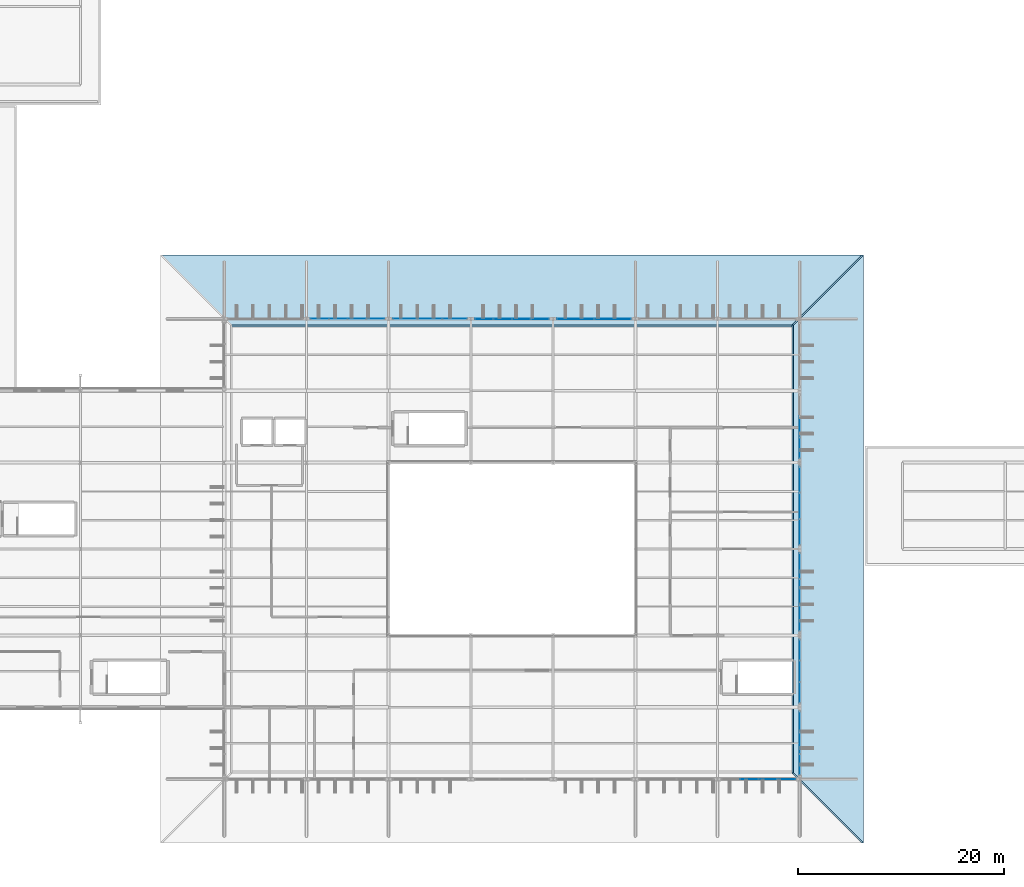
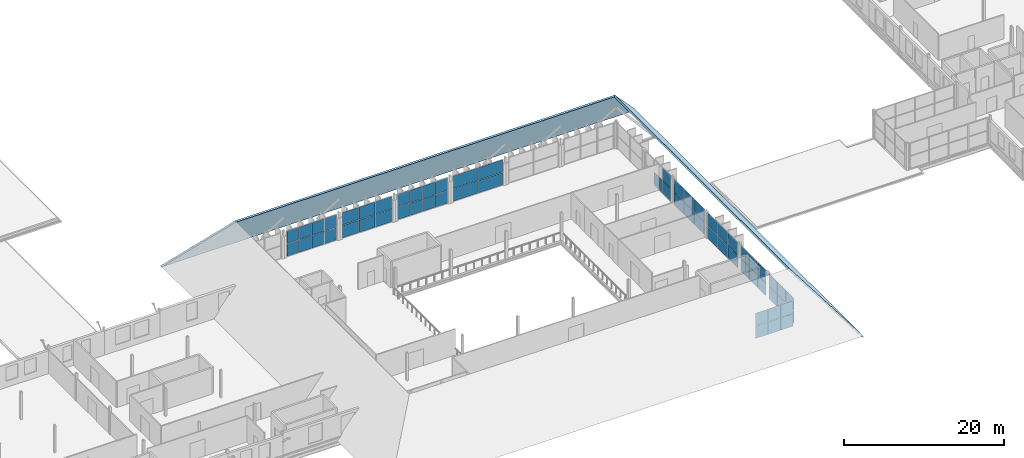
# One storey, part 76 of 93: 59 plates, 2 slabs, 10 elements without a shape of their own.
"""IFC4 building model written with IfcOpenShell, lengths in metres."""

from ifc_helpers import new_model, si_unit, direction, frame, origin, origin_2d, place, context, subcontext, project, spatial, polyline, rectangle, outline, extrude, material, layer, layer_set, type_object, element, aggregate, save


model = new_model("IFC4")

# Units and contexts
model_context = context("Model", 3, precision=1e-05, world=origin(), true_north=direction((0.0, 1.0)))
body_context = subcontext(model_context, "Body", "Model", "MODEL_VIEW")
ifc_project = project(units=[si_unit("LENGTHUNIT", "METRE"), si_unit("AREAUNIT", "SQUARE_METRE"), si_unit("VOLUMEUNIT", "CUBIC_METRE"), si_unit("PLANEANGLEUNIT", "RADIAN"), si_unit("MASSUNIT", "GRAM", prefix="KILO")], contexts=[model_context])

# Site, building, storey
site_placement = place(None, origin())
site = spatial("IfcSite", under=ifc_project, at=site_placement, CompositionType="ELEMENT")
building_placement = place(site_placement, origin())
building = spatial("IfcBuilding", under=site, at=building_placement, Name="Vekula Escarpment Museum", CompositionType="ELEMENT")
storey_placement = place(building_placement, frame((0.0, 0.0, 22.199951171875)))
storey = spatial("IfcBuildingStorey", under=building, at=storey_placement, Name="L05", CompositionType="ELEMENT", Elevation=22.199951171875)

# Curtain wall, plates
ifc_material_1 = material(Name="Aluminium thermally broken framing", Category="aluminium")
ifc_layer_1 = layer(ifc_material_1, 0.159912109375)
ifc_layer_set_1 = layer_set([ifc_layer_1], Name="Aluminium thermally broken framing")
curtain_wall_type_1 = type_object("IfcCurtainWallType", Name="CW-SYS-02", PredefinedType="NOTDEFINED", material=ifc_layer_set_1)
curtain_wall_1_placement = place(storey_placement, origin())
curtain_wall_1 = element("IfcCurtainWall", 1, at=curtain_wall_1_placement, inside=storey, type_object=curtain_wall_type_1, Name="Curtain Wall CW-L05-172", PredefinedType="NOTDEFINED")
ifc_material_2 = material(Name="Double solar-control low-E glass", Category="glass")
ifc_layer_2 = layer(ifc_material_2, 0.028076171875)
ifc_layer_set_2 = layer_set([ifc_layer_2], Name="Double solar-control low-E glass")
plate_type_1 = type_object("IfcPlateType", Name="CW-PNL-28", PredefinedType="CURTAIN_PANEL", material=ifc_layer_set_2)
plate_1_placement = place(storey_placement, frame((126.0, 61.2548828125, 0.06005859375), z_axis=(0.0, 0.0, 1.0), x_axis=(0.0, 1.0, 0.0)))
plate_1 = element("IfcPlate", 2, at=plate_1_placement, type_object=plate_type_1, Name="CW-02 panel 1.1", PredefinedType="CURTAIN_PANEL", context=body_context, shape_type="SweptSolid", body=[
    extrude(rectangle(XDim=2.469970703125, YDim=0.028076171875, at=origin_2d()), origin(), (0.0, 0.0, 1.0), 1.89990234375),
])
plate_2_placement = place(storey_placement, frame((126.0, 61.2548828125, 2.02001953125), z_axis=(0.0, 0.0, 1.0), x_axis=(0.0, 1.0, 0.0)))
plate_2 = element("IfcPlate", 3, at=plate_2_placement, type_object=plate_type_1, Name="CW-02 panel 1.2", PredefinedType="CURTAIN_PANEL", context=body_context, shape_type="SweptSolid", body=[
    extrude(rectangle(XDim=2.469970703125, YDim=0.028076171875, at=origin_2d()), origin(), (0.0, 0.0, 1.0), 1.89990234375),
])
plate_3_placement = place(storey_placement, frame((126.0, 63.800048828125, 0.06005859375), z_axis=(0.0, 0.0, 1.0), x_axis=(0.0, 1.0, 0.0)))
plate_3 = element("IfcPlate", 4, at=plate_3_placement, type_object=plate_type_1, Name="CW-02 panel 2.1", PredefinedType="CURTAIN_PANEL", context=body_context, shape_type="SweptSolid", body=[
    extrude(rectangle(XDim=2.5, YDim=0.028076171875, at=origin_2d()), origin(), (0.0, 0.0, 1.0), 1.89990234375),
])
plate_4_placement = place(storey_placement, frame((126.0, 63.800048828125, 2.02001953125), z_axis=(0.0, 0.0, 1.0), x_axis=(0.0, 1.0, 0.0)))
plate_4 = element("IfcPlate", 5, at=plate_4_placement, type_object=plate_type_1, Name="CW-02 panel 2.2", PredefinedType="CURTAIN_PANEL", context=body_context, shape_type="SweptSolid", body=[
    extrude(rectangle(XDim=2.5, YDim=0.028076171875, at=origin_2d()), origin(), (0.0, 0.0, 1.0), 1.89990234375),
])
plate_5_placement = place(storey_placement, frame((126.0, 66.344970703125, 0.06005859375), z_axis=(0.0, 0.0, 1.0), x_axis=(0.0, 1.0, 0.0)))
plate_5 = element("IfcPlate", 6, at=plate_5_placement, type_object=plate_type_1, Name="CW-02 panel 3.1", PredefinedType="CURTAIN_PANEL", context=body_context, shape_type="SweptSolid", body=[
    extrude(rectangle(XDim=2.469970703125, YDim=0.028076171875, at=origin_2d()), origin(), (0.0, 0.0, 1.0), 1.89990234375),
])
plate_6_placement = place(storey_placement, frame((126.0, 66.344970703125, 2.02001953125), z_axis=(0.0, 0.0, 1.0), x_axis=(0.0, 1.0, 0.0)))
plate_6 = element("IfcPlate", 7, at=plate_6_placement, type_object=plate_type_1, Name="CW-02 panel 3.2", PredefinedType="CURTAIN_PANEL", context=body_context, shape_type="SweptSolid", body=[
    extrude(rectangle(XDim=2.469970703125, YDim=0.028076171875, at=origin_2d()), origin(), (0.0, 0.0, 1.0), 1.89990234375),
])
aggregate(curtain_wall_1, [plate_1, plate_2, plate_3, plate_4, plate_5, plate_6])

ifc_material_3 = material(Name="Aluminium thermally broken framing", Category="aluminium")
ifc_layer_3 = layer(ifc_material_3, 0.169921875)
ifc_layer_set_3 = layer_set([ifc_layer_3], Name="Aluminium thermally broken framing")
curtain_wall_type_2 = type_object("IfcCurtainWallType", Name="CW-SYS-10", PredefinedType="NOTDEFINED", material=ifc_layer_set_3)
curtain_wall_2_placement = place(storey_placement, origin())
curtain_wall_2 = element("IfcCurtainWall", 8, at=curtain_wall_2_placement, inside=storey, type_object=curtain_wall_type_2, Name="Curtain Wall CW-L05-180", PredefinedType="NOTDEFINED")
plate_7_placement = place(storey_placement, frame((92.41162109375, 90.39990234375, 0.06005859375), z_axis=(0.0, 0.0, 1.0), x_axis=(-1.0, 0.0, 0.0)))
plate_7 = element("IfcPlate", 9, at=plate_7_placement, type_object=plate_type_1, Name="CW-10 panel 1.1", PredefinedType="CURTAIN_PANEL", context=body_context, shape_type="SweptSolid", body=[
    extrude(rectangle(XDim=2.336669921875, YDim=0.028076171875, at=origin_2d()), origin(), (0.0, 0.0, 1.0), 1.89990234375),
])
plate_8_placement = place(storey_placement, frame((92.41162109375, 90.39990234375, 2.02001953125), z_axis=(0.0, 0.0, 1.0), x_axis=(-1.0, 0.0, 0.0)))
plate_8 = element("IfcPlate", 10, at=plate_8_placement, type_object=plate_type_1, Name="CW-10 panel 1.2", PredefinedType="CURTAIN_PANEL", context=body_context, shape_type="SweptSolid", body=[
    extrude(rectangle(XDim=2.336669921875, YDim=0.028076171875, at=origin_2d()), origin(), (0.0, 0.0, 1.0), 1.89990234375),
])
plate_9_placement = place(storey_placement, frame((90.0, 90.39990234375, 0.06005859375), z_axis=(0.0, 0.0, 1.0), x_axis=(-1.0, 0.0, 0.0)))
plate_9 = element("IfcPlate", 11, at=plate_9_placement, type_object=plate_type_1, Name="CW-10 panel 2.1", PredefinedType="CURTAIN_PANEL", context=body_context, shape_type="SweptSolid", body=[
    extrude(rectangle(XDim=2.36669921875, YDim=0.028076171875, at=origin_2d()), origin(), (0.0, 0.0, 1.0), 1.89990234375),
])
plate_10_placement = place(storey_placement, frame((90.0, 90.39990234375, 2.02001953125), z_axis=(0.0, 0.0, 1.0), x_axis=(-1.0, 0.0, 0.0)))
plate_10 = element("IfcPlate", 12, at=plate_10_placement, type_object=plate_type_1, Name="CW-10 panel 2.2", PredefinedType="CURTAIN_PANEL", context=body_context, shape_type="SweptSolid", body=[
    extrude(rectangle(XDim=2.36669921875, YDim=0.028076171875, at=origin_2d()), origin(), (0.0, 0.0, 1.0), 1.89990234375),
])
plate_11_placement = place(storey_placement, frame((87.58837890625, 90.39990234375, 0.06005859375), z_axis=(0.0, 0.0, 1.0), x_axis=(-1.0, 0.0, 0.0)))
plate_11 = element("IfcPlate", 13, at=plate_11_placement, type_object=plate_type_1, Name="CW-10 panel 3.1", PredefinedType="CURTAIN_PANEL", context=body_context, shape_type="SweptSolid", body=[
    extrude(rectangle(XDim=2.336669921875, YDim=0.028076171875, at=origin_2d()), origin(), (0.0, 0.0, 1.0), 1.89990234375),
])
plate_12_placement = place(storey_placement, frame((87.58837890625, 90.39990234375, 2.02001953125), z_axis=(0.0, 0.0, 1.0), x_axis=(-1.0, 0.0, 0.0)))
plate_12 = element("IfcPlate", 14, at=plate_12_placement, type_object=plate_type_1, Name="CW-10 panel 3.2", PredefinedType="CURTAIN_PANEL", context=body_context, shape_type="SweptSolid", body=[
    extrude(rectangle(XDim=2.336669921875, YDim=0.028076171875, at=origin_2d()), origin(), (0.0, 0.0, 1.0), 1.89990234375),
])
aggregate(curtain_wall_2, [plate_7, plate_8, plate_9, plate_10, plate_11, plate_12])

ifc_material_4 = material(Name="Aluminium thermally broken framing", Category="aluminium")
ifc_layer_4 = layer(ifc_material_4, 0.14990234375)
ifc_layer_set_4 = layer_set([ifc_layer_4], Name="Aluminium thermally broken framing")
curtain_wall_type_3 = type_object("IfcCurtainWallType", Name="CW-SYS-09", PredefinedType="NOTDEFINED", material=ifc_layer_set_4)
curtain_wall_3_placement = place(storey_placement, origin())
curtain_wall_3 = element("IfcCurtainWall", 15, at=curtain_wall_3_placement, inside=storey, type_object=curtain_wall_type_3, Name="Curtain Wall CW-L05-169", PredefinedType="NOTDEFINED")
ifc_material_5 = material(Name="Acoustic laminated double low-E glass", Category="glass")
ifc_layer_5 = layer(ifc_material_5, 0.031982421875)
ifc_layer_set_5 = layer_set([ifc_layer_5], Name="Acoustic laminated double low-E glass")
plate_type_2 = type_object("IfcPlateType", Name="CW-PNL-32", PredefinedType="CURTAIN_PANEL", material=ifc_layer_set_5)
plate_13_placement = place(storey_placement, frame((121.090087890625, 45.60009765625, 0.06005859375), z_axis=(0.0, 0.0, 1.0), x_axis=(1.0, 0.0, 0.0)))
plate_13 = element("IfcPlate", 16, at=plate_13_placement, type_object=plate_type_2, Name="CW-09 panel 2.1", PredefinedType="CURTAIN_PANEL", context=body_context, shape_type="SweptSolid", body=[
    extrude(rectangle(XDim=1.760009765625, YDim=0.031982421875, at=origin_2d()), origin(), (0.0, 0.0, 1.0), 1.89990234375),
])
plate_14_placement = place(storey_placement, frame((121.090087890625, 45.60009765625, 2.02001953125), z_axis=(0.0, 0.0, 1.0), x_axis=(1.0, 0.0, 0.0)))
plate_14 = element("IfcPlate", 17, at=plate_14_placement, type_object=plate_type_2, Name="CW-09 panel 2.2", PredefinedType="CURTAIN_PANEL", context=body_context, shape_type="SweptSolid", body=[
    extrude(rectangle(XDim=1.760009765625, YDim=0.031982421875, at=origin_2d()), origin(), (0.0, 0.0, 1.0), 1.89990234375),
])
plate_15_placement = place(storey_placement, frame((122.909912109375, 45.60009765625, 0.06005859375), z_axis=(0.0, 0.0, 1.0), x_axis=(1.0, 0.0, 0.0)))
plate_15 = element("IfcPlate", 18, at=plate_15_placement, type_object=plate_type_2, Name="CW-09 panel 3.1", PredefinedType="CURTAIN_PANEL", context=body_context, shape_type="SweptSolid", body=[
    extrude(rectangle(XDim=1.760009765625, YDim=0.031982421875, at=origin_2d()), origin(), (0.0, 0.0, 1.0), 1.89990234375),
])
plate_16_placement = place(storey_placement, frame((122.909912109375, 45.60009765625, 2.02001953125), z_axis=(0.0, 0.0, 1.0), x_axis=(1.0, 0.0, 0.0)))
plate_16 = element("IfcPlate", 19, at=plate_16_placement, type_object=plate_type_2, Name="CW-09 panel 3.2", PredefinedType="CURTAIN_PANEL", context=body_context, shape_type="SweptSolid", body=[
    extrude(rectangle(XDim=1.760009765625, YDim=0.031982421875, at=origin_2d()), origin(), (0.0, 0.0, 1.0), 1.89990234375),
])
plate_17_placement = place(storey_placement, frame((124.715087890625, 45.60009765625, 0.06005859375), z_axis=(0.0, 0.0, 1.0), x_axis=(1.0, 0.0, 0.0)))
plate_17 = element("IfcPlate", 20, at=plate_17_placement, type_object=plate_type_2, Name="CW-09 panel 4.1", PredefinedType="CURTAIN_PANEL", context=body_context, shape_type="SweptSolid", body=[
    extrude(rectangle(XDim=1.72998046875, YDim=0.031982421875, at=origin_2d()), origin(), (0.0, 0.0, 1.0), 1.89990234375),
])
plate_18_placement = place(storey_placement, frame((124.715087890625, 45.60009765625, 2.02001953125), z_axis=(0.0, 0.0, 1.0), x_axis=(1.0, 0.0, 0.0)))
plate_18 = element("IfcPlate", 21, at=plate_18_placement, type_object=plate_type_2, Name="CW-09 panel 4.2", PredefinedType="CURTAIN_PANEL", context=body_context, shape_type="SweptSolid", body=[
    extrude(rectangle(XDim=1.72998046875, YDim=0.031982421875, at=origin_2d()), origin(), (0.0, 0.0, 1.0), 1.89990234375),
])
aggregate(curtain_wall_3, [plate_13, plate_14, plate_15, plate_16, plate_17, plate_18])

ifc_material_6 = material(Name="Aluminium thermally broken framing", Category="aluminium")
ifc_layer_6 = layer(ifc_material_6, 0.199951171875)
ifc_layer_set_6 = layer_set([ifc_layer_6], Name="Aluminium thermally broken framing")
curtain_wall_type_4 = type_object("IfcCurtainWallType", Name="CW-SYS-03", PredefinedType="NOTDEFINED", material=ifc_layer_set_6)
curtain_wall_4_placement = place(storey_placement, origin())
curtain_wall_4 = element("IfcCurtainWall", 22, at=curtain_wall_4_placement, inside=storey, type_object=curtain_wall_type_4, Name="Curtain Wall CW-L05-173", PredefinedType="NOTDEFINED")
plate_19_placement = place(storey_placement, frame((126.0, 69.655029296875, 0.06005859375), z_axis=(0.0, 0.0, 1.0), x_axis=(0.0, 1.0, 0.0)))
plate_19 = element("IfcPlate", 23, at=plate_19_placement, type_object=plate_type_2, Name="CW-03 panel 1.1", PredefinedType="CURTAIN_PANEL", context=body_context, shape_type="SweptSolid", body=[
    extrude(rectangle(XDim=2.469970703125, YDim=0.031982421875, at=origin_2d()), origin(), (0.0, 0.0, 1.0), 1.89990234375),
])
plate_20_placement = place(storey_placement, frame((126.0, 69.655029296875, 2.02001953125), z_axis=(0.0, 0.0, 1.0), x_axis=(0.0, 1.0, 0.0)))
plate_20 = element("IfcPlate", 24, at=plate_20_placement, type_object=plate_type_2, Name="CW-03 panel 1.2", PredefinedType="CURTAIN_PANEL", context=body_context, shape_type="SweptSolid", body=[
    extrude(rectangle(XDim=2.469970703125, YDim=0.031982421875, at=origin_2d()), origin(), (0.0, 0.0, 1.0), 1.89990234375),
])
plate_21_placement = place(storey_placement, frame((126.0, 72.199951171875, 0.06005859375), z_axis=(0.0, 0.0, 1.0), x_axis=(0.0, 1.0, 0.0)))
plate_21 = element("IfcPlate", 25, at=plate_21_placement, type_object=plate_type_2, Name="CW-03 panel 2.1", PredefinedType="CURTAIN_PANEL", context=body_context, shape_type="SweptSolid", body=[
    extrude(rectangle(XDim=2.5, YDim=0.031982421875, at=origin_2d()), origin(), (0.0, 0.0, 1.0), 1.89990234375),
])
plate_22_placement = place(storey_placement, frame((126.0, 72.199951171875, 2.02001953125), z_axis=(0.0, 0.0, 1.0), x_axis=(0.0, 1.0, 0.0)))
plate_22 = element("IfcPlate", 26, at=plate_22_placement, type_object=plate_type_2, Name="CW-03 panel 2.2", PredefinedType="CURTAIN_PANEL", context=body_context, shape_type="SweptSolid", body=[
    extrude(rectangle(XDim=2.5, YDim=0.031982421875, at=origin_2d()), origin(), (0.0, 0.0, 1.0), 1.89990234375),
])
plate_23_placement = place(storey_placement, frame((126.0, 74.7451171875, 0.06005859375), z_axis=(0.0, 0.0, 1.0), x_axis=(0.0, 1.0, 0.0)))
plate_23 = element("IfcPlate", 27, at=plate_23_placement, type_object=plate_type_2, Name="CW-03 panel 3.1", PredefinedType="CURTAIN_PANEL", context=body_context, shape_type="SweptSolid", body=[
    extrude(rectangle(XDim=2.469970703125, YDim=0.031982421875, at=origin_2d()), origin(), (0.0, 0.0, 1.0), 1.89990234375),
])
plate_24_placement = place(storey_placement, frame((126.0, 74.7451171875, 2.02001953125), z_axis=(0.0, 0.0, 1.0), x_axis=(0.0, 1.0, 0.0)))
plate_24 = element("IfcPlate", 28, at=plate_24_placement, type_object=plate_type_2, Name="CW-03 panel 3.2", PredefinedType="CURTAIN_PANEL", context=body_context, shape_type="SweptSolid", body=[
    extrude(rectangle(XDim=2.469970703125, YDim=0.031982421875, at=origin_2d()), origin(), (0.0, 0.0, 1.0), 1.89990234375),
])
aggregate(curtain_wall_4, [plate_19, plate_20, plate_21, plate_22, plate_23, plate_24])

ifc_material_7 = material(Name="Aluminium thermally broken framing", Category="aluminium")
ifc_layer_7 = layer(ifc_material_7, 0.159912109375)
ifc_layer_set_7 = layer_set([ifc_layer_7], Name="Aluminium thermally broken framing")
curtain_wall_type_5 = type_object("IfcCurtainWallType", Name="CW-SYS-01", PredefinedType="NOTDEFINED", material=ifc_layer_set_7)
curtain_wall_5_placement = place(storey_placement, origin())
curtain_wall_5 = element("IfcCurtainWall", 29, at=curtain_wall_5_placement, inside=storey, type_object=curtain_wall_type_5, Name="Curtain Wall CW-L05-181", PredefinedType="NOTDEFINED")
plate_25_placement = place(storey_placement, frame((84.715087890625, 90.39990234375, 0.06005859375), z_axis=(0.0, 0.0, 1.0), x_axis=(-1.0, 0.0, 0.0)))
plate_25 = element("IfcPlate", 30, at=plate_25_placement, type_object=plate_type_2, Name="CW-01 panel 1.1", PredefinedType="CURTAIN_PANEL", context=body_context, shape_type="SweptSolid", body=[
    extrude(rectangle(XDim=1.72998046875, YDim=0.031982421875, at=origin_2d()), origin(), (0.0, 0.0, 1.0), 1.89990234375),
])
plate_26_placement = place(storey_placement, frame((84.715087890625, 90.39990234375, 2.02001953125), z_axis=(0.0, 0.0, 1.0), x_axis=(-1.0, 0.0, 0.0)))
plate_26 = element("IfcPlate", 31, at=plate_26_placement, type_object=plate_type_2, Name="CW-01 panel 1.2", PredefinedType="CURTAIN_PANEL", context=body_context, shape_type="SweptSolid", body=[
    extrude(rectangle(XDim=1.72998046875, YDim=0.031982421875, at=origin_2d()), origin(), (0.0, 0.0, 1.0), 1.89990234375),
])
plate_27_placement = place(storey_placement, frame((82.909912109375, 90.39990234375, 0.06005859375), z_axis=(0.0, 0.0, 1.0), x_axis=(-1.0, 0.0, 0.0)))
plate_27 = element("IfcPlate", 32, at=plate_27_placement, type_object=plate_type_2, Name="CW-01 panel 2.1", PredefinedType="CURTAIN_PANEL", context=body_context, shape_type="SweptSolid", body=[
    extrude(rectangle(XDim=1.760009765625, YDim=0.031982421875, at=origin_2d()), origin(), (0.0, 0.0, 1.0), 1.89990234375),
])
plate_28_placement = place(storey_placement, frame((82.909912109375, 90.39990234375, 2.02001953125), z_axis=(0.0, 0.0, 1.0), x_axis=(-1.0, 0.0, 0.0)))
plate_28 = element("IfcPlate", 33, at=plate_28_placement, type_object=plate_type_2, Name="CW-01 panel 2.2", PredefinedType="CURTAIN_PANEL", context=body_context, shape_type="SweptSolid", body=[
    extrude(rectangle(XDim=1.760009765625, YDim=0.031982421875, at=origin_2d()), origin(), (0.0, 0.0, 1.0), 1.89990234375),
])
plate_29_placement = place(storey_placement, frame((81.090087890625, 90.39990234375, 0.06005859375), z_axis=(0.0, 0.0, 1.0), x_axis=(-1.0, 0.0, 0.0)))
plate_29 = element("IfcPlate", 34, at=plate_29_placement, type_object=plate_type_2, Name="CW-01 panel 3.1", PredefinedType="CURTAIN_PANEL", context=body_context, shape_type="SweptSolid", body=[
    extrude(rectangle(XDim=1.760009765625, YDim=0.031982421875, at=origin_2d()), origin(), (0.0, 0.0, 1.0), 1.89990234375),
])
plate_30_placement = place(storey_placement, frame((81.090087890625, 90.39990234375, 2.02001953125), z_axis=(0.0, 0.0, 1.0), x_axis=(-1.0, 0.0, 0.0)))
plate_30 = element("IfcPlate", 35, at=plate_30_placement, type_object=plate_type_2, Name="CW-01 panel 3.2", PredefinedType="CURTAIN_PANEL", context=body_context, shape_type="SweptSolid", body=[
    extrude(rectangle(XDim=1.760009765625, YDim=0.031982421875, at=origin_2d()), origin(), (0.0, 0.0, 1.0), 1.89990234375),
])
plate_31_placement = place(storey_placement, frame((79.284912109375, 90.39990234375, 0.06005859375), z_axis=(0.0, 0.0, 1.0), x_axis=(-1.0, 0.0, 0.0)))
plate_31 = element("IfcPlate", 36, at=plate_31_placement, type_object=plate_type_2, Name="CW-01 panel 4.1", PredefinedType="CURTAIN_PANEL", context=body_context, shape_type="SweptSolid", body=[
    extrude(rectangle(XDim=1.72998046875, YDim=0.031982421875, at=origin_2d()), origin(), (0.0, 0.0, 1.0), 1.89990234375),
])
plate_32_placement = place(storey_placement, frame((79.284912109375, 90.39990234375, 2.02001953125), z_axis=(0.0, 0.0, 1.0), x_axis=(-1.0, 0.0, 0.0)))
plate_32 = element("IfcPlate", 37, at=plate_32_placement, type_object=plate_type_2, Name="CW-01 panel 4.2", PredefinedType="CURTAIN_PANEL", context=body_context, shape_type="SweptSolid", body=[
    extrude(rectangle(XDim=1.72998046875, YDim=0.031982421875, at=origin_2d()), origin(), (0.0, 0.0, 1.0), 1.89990234375),
])
aggregate(curtain_wall_5, [plate_25, plate_26, plate_27, plate_28, plate_29, plate_30, plate_31, plate_32])

curtain_wall_6_placement = place(storey_placement, origin())
curtain_wall_6 = element("IfcCurtainWall", 38, at=curtain_wall_6_placement, inside=storey, type_object=curtain_wall_type_2, Name="Curtain Wall CW-L05-170", PredefinedType="NOTDEFINED")
ifc_material_8 = material(Name="Triple UV-filtered museum gallery glass", Category="glass")
ifc_layer_8 = layer(ifc_material_8, 0.035888671875)
ifc_layer_set_8 = layer_set([ifc_layer_8], Name="Triple UV-filtered museum gallery glass")
plate_type_3 = type_object("IfcPlateType", Name="CW-PNL-36", PredefinedType="CURTAIN_PANEL", material=ifc_layer_set_8)
plate_33_placement = place(storey_placement, frame((126.0, 47.021728515625, 0.06005859375), z_axis=(0.0, 0.0, 1.0), x_axis=(0.0, 1.0, 0.0)))
plate_33 = element("IfcPlate", 39, at=plate_33_placement, type_object=plate_type_3, Name="CW-10 panel 1.1", PredefinedType="CURTAIN_PANEL", context=body_context, shape_type="SweptSolid", body=[
    extrude(rectangle(XDim=2.00341796875, YDim=0.035888671875, at=origin_2d()), origin(), (0.0, 0.0, 1.0), 1.89990234375),
])
plate_34_placement = place(storey_placement, frame((126.0, 47.021728515625, 2.02001953125), z_axis=(0.0, 0.0, 1.0), x_axis=(0.0, 1.0, 0.0)))
plate_34 = element("IfcPlate", 40, at=plate_34_placement, type_object=plate_type_3, Name="CW-10 panel 1.2", PredefinedType="CURTAIN_PANEL", context=body_context, shape_type="SweptSolid", body=[
    extrude(rectangle(XDim=2.00341796875, YDim=0.035888671875, at=origin_2d()), origin(), (0.0, 0.0, 1.0), 1.89990234375),
])
plate_35_placement = place(storey_placement, frame((126.0, 49.10009765625, 0.06005859375), z_axis=(0.0, 0.0, 1.0), x_axis=(0.0, 1.0, 0.0)))
plate_35 = element("IfcPlate", 41, at=plate_35_placement, type_object=plate_type_3, Name="CW-10 panel 2.1", PredefinedType="CURTAIN_PANEL", context=body_context, shape_type="SweptSolid", body=[
    extrude(rectangle(XDim=2.033447265625, YDim=0.035888671875, at=origin_2d()), origin(), (0.0, 0.0, 1.0), 1.89990234375),
])
plate_36_placement = place(storey_placement, frame((126.0, 49.10009765625, 2.02001953125), z_axis=(0.0, 0.0, 1.0), x_axis=(0.0, 1.0, 0.0)))
plate_36 = element("IfcPlate", 42, at=plate_36_placement, type_object=plate_type_3, Name="CW-10 panel 2.2", PredefinedType="CURTAIN_PANEL", context=body_context, shape_type="SweptSolid", body=[
    extrude(rectangle(XDim=2.033447265625, YDim=0.035888671875, at=origin_2d()), origin(), (0.0, 0.0, 1.0), 1.89990234375),
])
plate_37_placement = place(storey_placement, frame((126.0, 51.17822265625, 0.06005859375), z_axis=(0.0, 0.0, 1.0), x_axis=(0.0, 1.0, 0.0)))
plate_37 = element("IfcPlate", 43, at=plate_37_placement, type_object=plate_type_3, Name="CW-10 panel 3.1", PredefinedType="CURTAIN_PANEL", context=body_context, shape_type="SweptSolid", body=[
    extrude(rectangle(XDim=2.00341796875, YDim=0.035888671875, at=origin_2d()), origin(), (0.0, 0.0, 1.0), 1.89990234375),
])
plate_38_placement = place(storey_placement, frame((126.0, 51.17822265625, 2.02001953125), z_axis=(0.0, 0.0, 1.0), x_axis=(0.0, 1.0, 0.0)))
plate_38 = element("IfcPlate", 44, at=plate_38_placement, type_object=plate_type_3, Name="CW-10 panel 3.2", PredefinedType="CURTAIN_PANEL", context=body_context, shape_type="SweptSolid", body=[
    extrude(rectangle(XDim=2.00341796875, YDim=0.035888671875, at=origin_2d()), origin(), (0.0, 0.0, 1.0), 1.89990234375),
])
aggregate(curtain_wall_6, [plate_33, plate_34, plate_35, plate_36, plate_37, plate_38])

ifc_material_9 = material(Name="Aluminium thermally broken framing", Category="aluminium")
ifc_layer_9 = layer(ifc_material_9, 0.199951171875)
ifc_layer_set_9 = layer_set([ifc_layer_9], Name="Aluminium thermally broken framing")
curtain_wall_type_6 = type_object("IfcCurtainWallType", Name="CW-SYS-04", PredefinedType="NOTDEFINED", material=ifc_layer_set_9)
curtain_wall_7_placement = place(storey_placement, origin())
curtain_wall_7 = element("IfcCurtainWall", 45, at=curtain_wall_7_placement, inside=storey, type_object=curtain_wall_type_6, Name="Curtain Wall CW-L05-174", PredefinedType="NOTDEFINED")
plate_39_placement = place(storey_placement, frame((126.0, 77.82177734375, 0.06005859375), z_axis=(0.0, 0.0, 1.0), x_axis=(0.0, 1.0, 0.0)))
plate_39 = element("IfcPlate", 46, at=plate_39_placement, type_object=plate_type_3, Name="CW-04 panel 1.1", PredefinedType="CURTAIN_PANEL", context=body_context, shape_type="SweptSolid", body=[
    extrude(rectangle(XDim=2.00341796875, YDim=0.035888671875, at=origin_2d()), origin(), (0.0, 0.0, 1.0), 1.89990234375),
])
plate_40_placement = place(storey_placement, frame((126.0, 77.82177734375, 2.02001953125), z_axis=(0.0, 0.0, 1.0), x_axis=(0.0, 1.0, 0.0)))
plate_40 = element("IfcPlate", 47, at=plate_40_placement, type_object=plate_type_3, Name="CW-04 panel 1.2", PredefinedType="CURTAIN_PANEL", context=body_context, shape_type="SweptSolid", body=[
    extrude(rectangle(XDim=2.00341796875, YDim=0.035888671875, at=origin_2d()), origin(), (0.0, 0.0, 1.0), 1.89990234375),
])
plate_41_placement = place(storey_placement, frame((126.0, 79.89990234375, 0.06005859375), z_axis=(0.0, 0.0, 1.0), x_axis=(0.0, 1.0, 0.0)))
plate_41 = element("IfcPlate", 48, at=plate_41_placement, type_object=plate_type_3, Name="CW-04 panel 2.1", PredefinedType="CURTAIN_PANEL", context=body_context, shape_type="SweptSolid", body=[
    extrude(rectangle(XDim=2.033447265625, YDim=0.035888671875, at=origin_2d()), origin(), (0.0, 0.0, 1.0), 1.89990234375),
])
aggregate(curtain_wall_7, [plate_39, plate_40, plate_41])

ifc_material_10 = material(Name="Aluminium thermally broken framing", Category="aluminium")
ifc_layer_10 = layer(ifc_material_10, 0.179931640625)
ifc_layer_set_10 = layer_set([ifc_layer_10], Name="Aluminium thermally broken framing")
curtain_wall_type_7 = type_object("IfcCurtainWallType", Name="CW-SYS-08", PredefinedType="NOTDEFINED", material=ifc_layer_set_10)
curtain_wall_8_placement = place(storey_placement, origin())
curtain_wall_8 = element("IfcCurtainWall", 49, at=curtain_wall_8_placement, inside=storey, type_object=curtain_wall_type_7, Name="Curtain Wall CW-L05-178", PredefinedType="NOTDEFINED")
plate_42_placement = place(storey_placement, frame((107.804931640625, 90.39990234375, 0.06005859375), z_axis=(0.0, 0.0, 1.0), x_axis=(-1.0, 0.0, 0.0)))
plate_42 = element("IfcPlate", 50, at=plate_42_placement, type_object=plate_type_3, Name="CW-08 panel 1.1", PredefinedType="CURTAIN_PANEL", context=body_context, shape_type="SweptSolid", body=[
    extrude(rectangle(XDim=3.550048828125, YDim=0.035888671875, at=origin_2d()), origin(), (0.0, 0.0, 1.0), 1.89990234375),
])
plate_43_placement = place(storey_placement, frame((107.804931640625, 90.39990234375, 2.02001953125), z_axis=(0.0, 0.0, 1.0), x_axis=(-1.0, 0.0, 0.0)))
plate_43 = element("IfcPlate", 51, at=plate_43_placement, type_object=plate_type_3, Name="CW-08 panel 1.2", PredefinedType="CURTAIN_PANEL", context=body_context, shape_type="SweptSolid", body=[
    extrude(rectangle(XDim=3.550048828125, YDim=0.035888671875, at=origin_2d()), origin(), (0.0, 0.0, 1.0), 1.89990234375),
])
plate_44_placement = place(storey_placement, frame((104.195068359375, 90.39990234375, 0.06005859375), z_axis=(0.0, 0.0, 1.0), x_axis=(-1.0, 0.0, 0.0)))
plate_44 = element("IfcPlate", 52, at=plate_44_placement, type_object=plate_type_3, Name="CW-08 panel 2.1", PredefinedType="CURTAIN_PANEL", context=body_context, shape_type="SweptSolid", body=[
    extrude(rectangle(XDim=3.550048828125, YDim=0.035888671875, at=origin_2d()), origin(), (0.0, 0.0, 1.0), 1.89990234375),
])
plate_45_placement = place(storey_placement, frame((104.195068359375, 90.39990234375, 2.02001953125), z_axis=(0.0, 0.0, 1.0), x_axis=(-1.0, 0.0, 0.0)))
plate_45 = element("IfcPlate", 53, at=plate_45_placement, type_object=plate_type_3, Name="CW-08 panel 2.2", PredefinedType="CURTAIN_PANEL", context=body_context, shape_type="SweptSolid", body=[
    extrude(rectangle(XDim=3.550048828125, YDim=0.035888671875, at=origin_2d()), origin(), (0.0, 0.0, 1.0), 1.89990234375),
])
aggregate(curtain_wall_8, [plate_42, plate_43, plate_44, plate_45])

curtain_wall_9_placement = place(storey_placement, origin())
curtain_wall_9 = element("IfcCurtainWall", 54, at=curtain_wall_9_placement, inside=storey, type_object=curtain_wall_type_5, Name="Curtain Wall CW-L05-171", PredefinedType="NOTDEFINED")
ifc_material_11 = material(Name="Insulated bronze spandrel glass panel", Category="glass")
ifc_layer_11 = layer(ifc_material_11, 0.0400390625)
ifc_layer_set_11 = layer_set([ifc_layer_11], Name="Insulated bronze spandrel glass panel")
plate_type_4 = type_object("IfcPlateType", Name="CW-PNL-40", PredefinedType="CURTAIN_PANEL", material=ifc_layer_set_11)
plate_46_placement = place(storey_placement, frame((126.0, 54.021728515625, 0.06005859375), z_axis=(0.0, 0.0, 1.0), x_axis=(0.0, 1.0, 0.0)))
plate_46 = element("IfcPlate", 55, at=plate_46_placement, type_object=plate_type_4, Name="CW-01 panel 1.1", PredefinedType="CURTAIN_PANEL", context=body_context, shape_type="SweptSolid", body=[
    extrude(rectangle(XDim=2.00341796875, YDim=0.0400390625, at=origin_2d()), origin(), (0.0, 0.0, 1.0), 1.89990234375),
])
plate_47_placement = place(storey_placement, frame((126.0, 54.021728515625, 2.02001953125), z_axis=(0.0, 0.0, 1.0), x_axis=(0.0, 1.0, 0.0)))
plate_47 = element("IfcPlate", 56, at=plate_47_placement, type_object=plate_type_4, Name="CW-01 panel 1.2", PredefinedType="CURTAIN_PANEL", context=body_context, shape_type="SweptSolid", body=[
    extrude(rectangle(XDim=2.00341796875, YDim=0.0400390625, at=origin_2d()), origin(), (0.0, 0.0, 1.0), 1.89990234375),
])
plate_48_placement = place(storey_placement, frame((126.0, 56.10009765625, 0.06005859375), z_axis=(0.0, 0.0, 1.0), x_axis=(0.0, 1.0, 0.0)))
plate_48 = element("IfcPlate", 57, at=plate_48_placement, type_object=plate_type_4, Name="CW-01 panel 2.1", PredefinedType="CURTAIN_PANEL", context=body_context, shape_type="SweptSolid", body=[
    extrude(rectangle(XDim=2.033447265625, YDim=0.0400390625, at=origin_2d()), origin(), (0.0, 0.0, 1.0), 1.89990234375),
])
plate_49_placement = place(storey_placement, frame((126.0, 56.10009765625, 2.02001953125), z_axis=(0.0, 0.0, 1.0), x_axis=(0.0, 1.0, 0.0)))
plate_49 = element("IfcPlate", 58, at=plate_49_placement, type_object=plate_type_4, Name="CW-01 panel 2.2", PredefinedType="CURTAIN_PANEL", context=body_context, shape_type="SweptSolid", body=[
    extrude(rectangle(XDim=2.033447265625, YDim=0.0400390625, at=origin_2d()), origin(), (0.0, 0.0, 1.0), 1.89990234375),
])
plate_50_placement = place(storey_placement, frame((126.0, 58.17822265625, 0.06005859375), z_axis=(0.0, 0.0, 1.0), x_axis=(0.0, 1.0, 0.0)))
plate_50 = element("IfcPlate", 59, at=plate_50_placement, type_object=plate_type_4, Name="CW-01 panel 3.1", PredefinedType="CURTAIN_PANEL", context=body_context, shape_type="SweptSolid", body=[
    extrude(rectangle(XDim=2.00341796875, YDim=0.0400390625, at=origin_2d()), origin(), (0.0, 0.0, 1.0), 1.89990234375),
])
plate_51_placement = place(storey_placement, frame((126.0, 58.17822265625, 2.02001953125), z_axis=(0.0, 0.0, 1.0), x_axis=(0.0, 1.0, 0.0)))
plate_51 = element("IfcPlate", 60, at=plate_51_placement, type_object=plate_type_4, Name="CW-01 panel 3.2", PredefinedType="CURTAIN_PANEL", context=body_context, shape_type="SweptSolid", body=[
    extrude(rectangle(XDim=2.00341796875, YDim=0.0400390625, at=origin_2d()), origin(), (0.0, 0.0, 1.0), 1.89990234375),
])
aggregate(curtain_wall_9, [plate_46, plate_47, plate_48, plate_49, plate_50, plate_51])

curtain_wall_10_placement = place(storey_placement, origin())
curtain_wall_10 = element("IfcCurtainWall", 61, at=curtain_wall_10_placement, inside=storey, type_object=curtain_wall_type_3, Name="Curtain Wall CW-L05-179", PredefinedType="NOTDEFINED")
plate_52_placement = place(storey_placement, frame((100.715087890625, 90.39990234375, 0.06005859375), z_axis=(0.0, 0.0, 1.0), x_axis=(-1.0, 0.0, 0.0)))
plate_52 = element("IfcPlate", 62, at=plate_52_placement, type_object=plate_type_4, Name="CW-09 panel 1.1", PredefinedType="CURTAIN_PANEL", context=body_context, shape_type="SweptSolid", body=[
    extrude(rectangle(XDim=1.72998046875, YDim=0.0400390625, at=origin_2d()), origin(), (0.0, 0.0, 1.0), 1.89990234375),
])
plate_53_placement = place(storey_placement, frame((100.715087890625, 90.39990234375, 2.02001953125), z_axis=(0.0, 0.0, 1.0), x_axis=(-1.0, 0.0, 0.0)))
plate_53 = element("IfcPlate", 63, at=plate_53_placement, type_object=plate_type_4, Name="CW-09 panel 1.2", PredefinedType="CURTAIN_PANEL", context=body_context, shape_type="SweptSolid", body=[
    extrude(rectangle(XDim=1.72998046875, YDim=0.0400390625, at=origin_2d()), origin(), (0.0, 0.0, 1.0), 1.89990234375),
])
plate_54_placement = place(storey_placement, frame((98.909912109375, 90.39990234375, 0.06005859375), z_axis=(0.0, 0.0, 1.0), x_axis=(-1.0, 0.0, 0.0)))
plate_54 = element("IfcPlate", 64, at=plate_54_placement, type_object=plate_type_4, Name="CW-09 panel 2.1", PredefinedType="CURTAIN_PANEL", context=body_context, shape_type="SweptSolid", body=[
    extrude(rectangle(XDim=1.760009765625, YDim=0.0400390625, at=origin_2d()), origin(), (0.0, 0.0, 1.0), 1.89990234375),
])
plate_55_placement = place(storey_placement, frame((98.909912109375, 90.39990234375, 2.02001953125), z_axis=(0.0, 0.0, 1.0), x_axis=(-1.0, 0.0, 0.0)))
plate_55 = element("IfcPlate", 65, at=plate_55_placement, type_object=plate_type_4, Name="CW-09 panel 2.2", PredefinedType="CURTAIN_PANEL", context=body_context, shape_type="SweptSolid", body=[
    extrude(rectangle(XDim=1.760009765625, YDim=0.0400390625, at=origin_2d()), origin(), (0.0, 0.0, 1.0), 1.89990234375),
])
plate_56_placement = place(storey_placement, frame((97.090087890625, 90.39990234375, 0.06005859375), z_axis=(0.0, 0.0, 1.0), x_axis=(-1.0, 0.0, 0.0)))
plate_56 = element("IfcPlate", 66, at=plate_56_placement, type_object=plate_type_4, Name="CW-09 panel 3.1", PredefinedType="CURTAIN_PANEL", context=body_context, shape_type="SweptSolid", body=[
    extrude(rectangle(XDim=1.760009765625, YDim=0.0400390625, at=origin_2d()), origin(), (0.0, 0.0, 1.0), 1.89990234375),
])
plate_57_placement = place(storey_placement, frame((97.090087890625, 90.39990234375, 2.02001953125), z_axis=(0.0, 0.0, 1.0), x_axis=(-1.0, 0.0, 0.0)))
plate_57 = element("IfcPlate", 67, at=plate_57_placement, type_object=plate_type_4, Name="CW-09 panel 3.2", PredefinedType="CURTAIN_PANEL", context=body_context, shape_type="SweptSolid", body=[
    extrude(rectangle(XDim=1.760009765625, YDim=0.0400390625, at=origin_2d()), origin(), (0.0, 0.0, 1.0), 1.89990234375),
])
plate_58_placement = place(storey_placement, frame((95.284912109375, 90.39990234375, 0.06005859375), z_axis=(0.0, 0.0, 1.0), x_axis=(-1.0, 0.0, 0.0)))
plate_58 = element("IfcPlate", 68, at=plate_58_placement, type_object=plate_type_4, Name="CW-09 panel 4.1", PredefinedType="CURTAIN_PANEL", context=body_context, shape_type="SweptSolid", body=[
    extrude(rectangle(XDim=1.72998046875, YDim=0.0400390625, at=origin_2d()), origin(), (0.0, 0.0, 1.0), 1.89990234375),
])
plate_59_placement = place(storey_placement, frame((95.284912109375, 90.39990234375, 2.02001953125), z_axis=(0.0, 0.0, 1.0), x_axis=(-1.0, 0.0, 0.0)))
plate_59 = element("IfcPlate", 69, at=plate_59_placement, type_object=plate_type_4, Name="CW-09 panel 4.2", PredefinedType="CURTAIN_PANEL", context=body_context, shape_type="SweptSolid", body=[
    extrude(rectangle(XDim=1.72998046875, YDim=0.0400390625, at=origin_2d()), origin(), (0.0, 0.0, 1.0), 1.89990234375),
])
aggregate(curtain_wall_10, [plate_52, plate_53, plate_54, plate_55, plate_56, plate_57, plate_58, plate_59])

# Slabs
ifc_material_12 = material(Name="Precast concrete C40/50", Category="concrete")
ifc_layer_12 = layer(ifc_material_12, 0.219970703125)
ifc_layer_set_12 = layer_set([ifc_layer_12], Name="Precast concrete C40/50")
slab_type = type_object("IfcSlabType", Name="SL-SKIRT-220", PredefinedType="ROOF", material=ifc_layer_set_12)
slab_1_placement = place(storey_placement, frame((132.199951171875, 96.60009765625, 0.0), z_axis=(0.0, 0.78441685133, 0.620233990805), x_axis=(-1.0, 0.0, 0.0)))
element("IfcSlab", 70, at=slab_1_placement, inside=storey, type_object=slab_type, Name="Truncated-Hip Roof Skirt North", PredefinedType="ROOF", context=body_context, shape_type="SweptSolid", body=[
    extrude(outline(polyline([(0.0, 0.0), (68.39990234375, 0.0), (61.599853515625, 10.963682946980953), (6.800048828125, 10.963682946980953), (0.0, 0.0)])), origin(), (0.0, 0.0, -1.0), 0.219970703125),
])
slab_2_placement = place(storey_placement, frame((132.199951171875, 39.39990234375, 0.0), z_axis=(0.78441685133, 0.0, 0.620233990805), x_axis=(0.0, 1.0, 0.0)))
element("IfcSlab", 71, at=slab_2_placement, inside=storey, type_object=slab_type, Name="Truncated-Hip Roof Skirt East", PredefinedType="ROOF", context=body_context, shape_type="SweptSolid", body=[
    extrude(outline(polyline([(0.0, 0.0), (57.2001953125, 0.0), (50.400146484375, 10.963682946980951), (6.800048828125, 10.963682946980951), (0.0, 0.0)])), origin(), (0.0, 0.0, -1.0), 0.219970703125),
])

save(model, "model.ifc")
